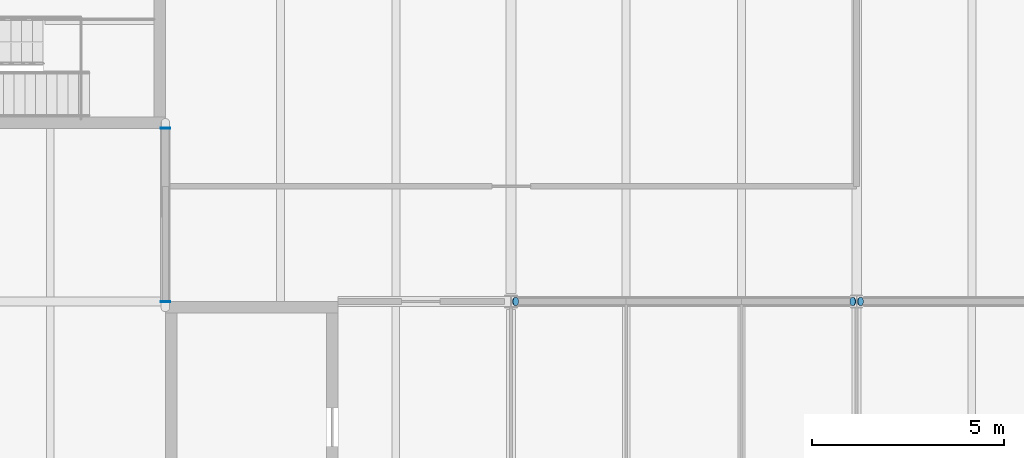
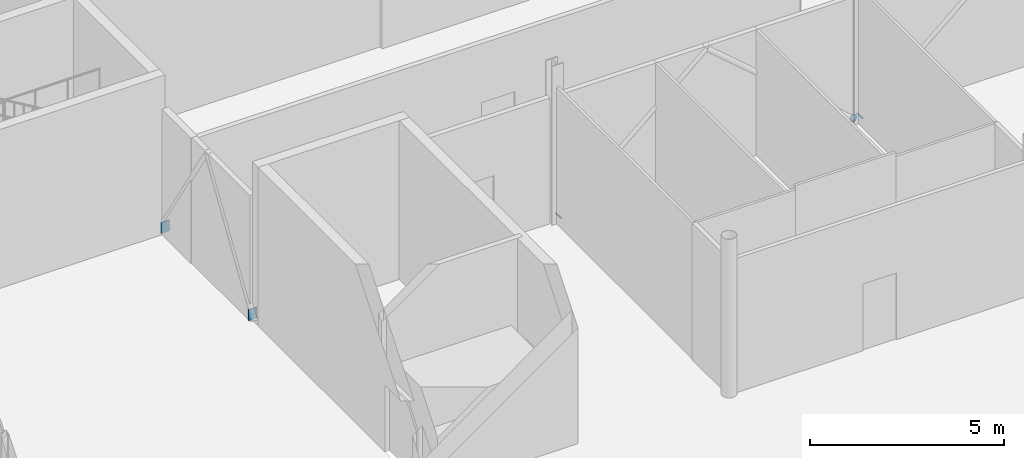
# One storey, part 51 of 63: 5 discrete accessories.
"""IFC4 building model written with IfcOpenShell, lengths in metres."""

from ifc_helpers import new_model, si_unit, direction, frame, origin, origin_2d, place, context, subcontext, project, spatial, rectangle, circle, extrude, element, save


model = new_model("IFC4")

# Units and contexts
model_context = context("Model", 3, precision=1e-05, world=origin(), true_north=direction((0.0, 1.0)))
body_context = subcontext(model_context, "Body", "Model", "MODEL_VIEW")
ifc_project = project(units=[si_unit("LENGTHUNIT", "METRE"), si_unit("AREAUNIT", "SQUARE_METRE"), si_unit("VOLUMEUNIT", "CUBIC_METRE"), si_unit("PLANEANGLEUNIT", "RADIAN"), si_unit("MASSUNIT", "GRAM", prefix="KILO")], contexts=[model_context])

# Site, building, storey
site_placement = place(None, origin())
site = spatial("IfcSite", under=ifc_project, at=site_placement, CompositionType="ELEMENT")
building_placement = place(site_placement, origin())
building = spatial("IfcBuilding", under=site, at=building_placement, Name="Halyard Row Museum", CompositionType="ELEMENT")
storey_placement = place(building_placement, origin())
storey = spatial("IfcBuildingStorey", under=building, at=storey_placement, Name="L00", CompositionType="ELEMENT", Elevation=0.0)

# Discrete accessories
for number, where, z_axis, x_axis, name in (
    (1, (72.0, 36.0, 0.215087890625), (0.0, -1.0, 0.0), (1.0, 0.0, 0.0), "Brace L00 X72 36-40.5 A cast-in plate"),
    (2, (72.0, 40.5, 0.215087890625), (0.0, 1.0, 0.0), (-1.0, 0.0, 0.0), "Brace L00 X72 36-40.5 B cast-in plate"),
):
    element("IfcDiscreteAccessory", number, at=place(storey_placement, frame(where, z_axis=z_axis, x_axis=x_axis)), inside=storey, Name=name, PredefinedType="ANCHORPLATE", context=body_context, shape_type="SweptSolid", body=[
        extrude(rectangle(XDim=0.25, YDim=0.35009765625, at=origin_2d()), origin(), (0.0, 0.0, 1.0), 0.02001953125),
    ])
for number, where, z_axis, x_axis, name in (
    (3, (81.125, 36.0, 0.109619140625), (-0.754081595886, 0.0, -0.656780744804), (0.0, -1.0, 0.0), "Brace L00 Y36 81-90 A foot end plate"),
    (4, (89.89453125, 36.0, 0.109619140625), (0.754081595886, 0.0, -0.656780744804), (0.0, 1.0, 0.0), "Brace L00 Y36 81-90 B foot end plate"),
    (5, (90.10546875, 36.0, 0.109619140625), (-0.754081595886, 0.0, -0.656780744804), (0.0, -1.0, 0.0), "Brace L00 Y36 90-99 A foot end plate"),
):
    element("IfcDiscreteAccessory", number, at=place(storey_placement, frame(where, z_axis=z_axis, x_axis=x_axis)), inside=storey, Name=name, PredefinedType="BRACKET", context=body_context, shape_type="SweptSolid", body=[
        extrude(circle(Radius=0.109619140625, at=origin_2d()), origin(), (0.0, 0.0, 1.0), 0.02001953125),
    ])

save(model, "model.ifc")
